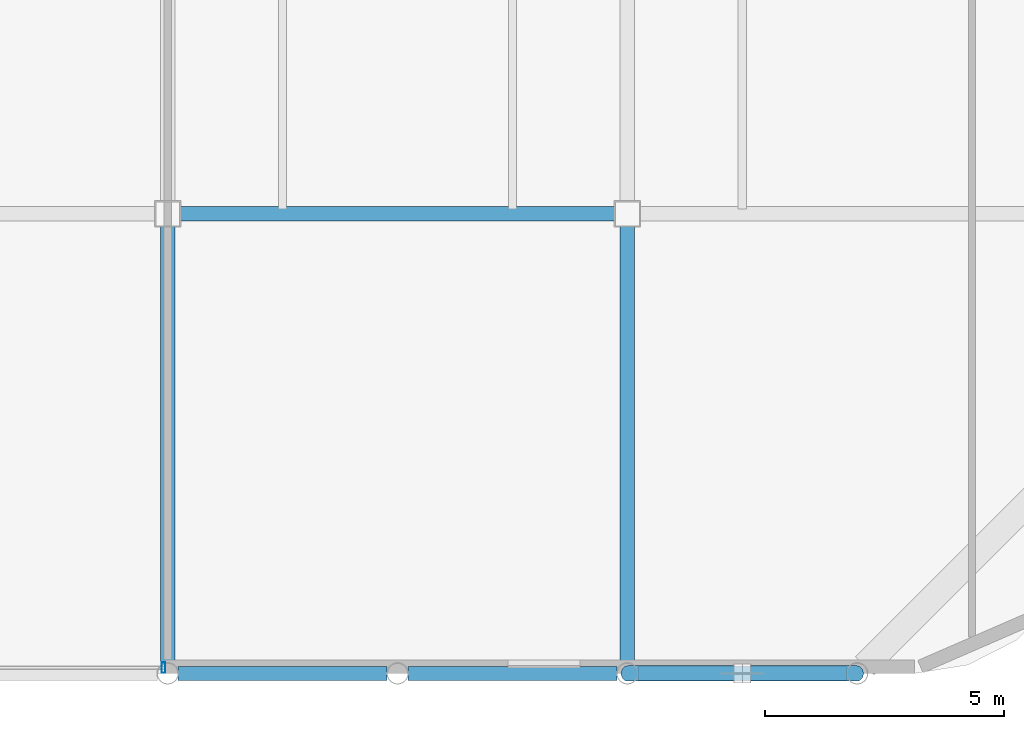
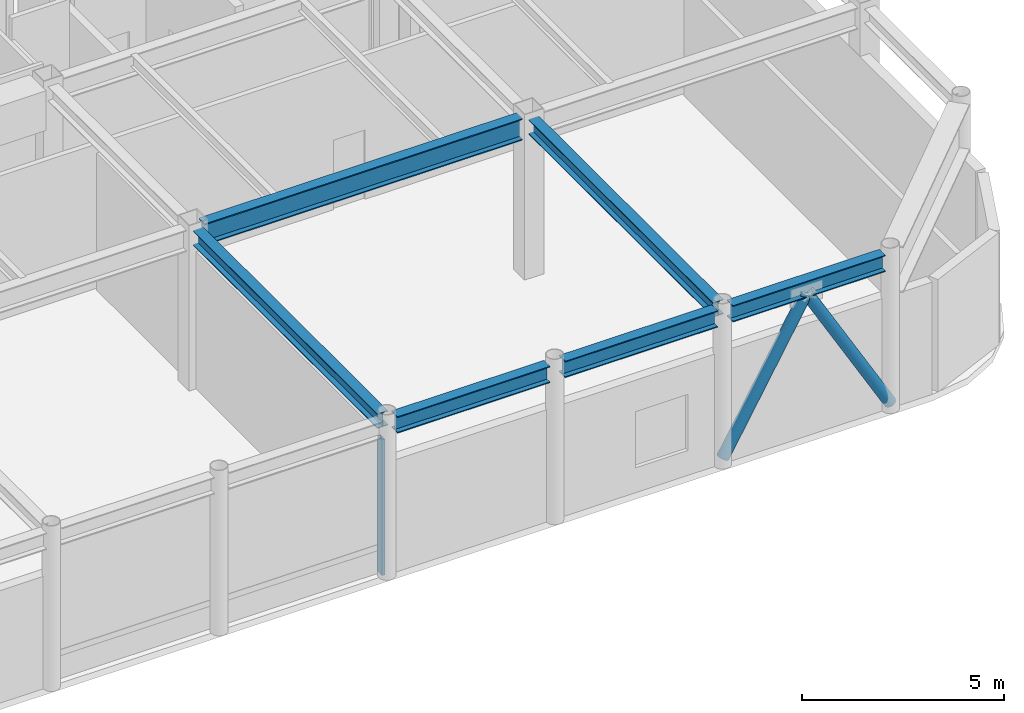
# One storey, part 9 of 21: 6 beams, 3 members, 1 element without a shape of its own.
"""IFC4 building model written with IfcOpenShell, lengths in metres."""

from ifc_helpers import new_model, si_unit, direction, frame, origin, origin_2d, place, context, subcontext, project, spatial, hollow_rectangle, hollow_circle, i_section, extrude, material, layer, layer_set, material_profile, profile_set, type_object, element, aggregate, save


model = new_model("IFC4")

# Units and contexts
model_context = context("Model", 3, precision=1e-05, world=origin(), true_north=direction((0.0, 1.0)))
body_context = subcontext(model_context, "Body", "Model", "MODEL_VIEW")
ifc_project = project(units=[si_unit("LENGTHUNIT", "METRE"), si_unit("AREAUNIT", "SQUARE_METRE"), si_unit("VOLUMEUNIT", "CUBIC_METRE"), si_unit("PLANEANGLEUNIT", "RADIAN"), si_unit("MASSUNIT", "GRAM", prefix="KILO")], contexts=[model_context])

# Site, building, storey
site_placement = place(None, origin())
site = spatial("IfcSite", under=ifc_project, at=site_placement, CompositionType="ELEMENT")
building_placement = place(site_placement, origin())
building = spatial("IfcBuilding", under=site, at=building_placement, Name="Kallvorn Hotel Tower", CompositionType="ELEMENT")
storey_placement = place(building_placement, frame((0.0, 0.0, 295.60009765625)))
storey = spatial("IfcBuildingStorey", under=building, at=storey_placement, Name="L73", CompositionType="ELEMENT", Elevation=295.60009765625)

# Beams
ifc_material_1 = material(Name="Structural steel S355JR", Category="steel")
ifc_material_profile_1 = material_profile(ifc_material_1, i_section(OverallWidth=0.300048828125, OverallDepth=0.43994140625, WebThickness=0.011474609375, FlangeThickness=0.02099609375, at=origin_2d()), Name="HE 450 A")
ifc_profile_set_1 = profile_set([ifc_material_profile_1], Name="Structural steel S355JR")
beam_type_1 = type_object("IfcBeamType", Name="BM_HE450A", PredefinedType="BEAM", material=ifc_profile_set_1)
for number, where, z_axis, x_axis, name in (
    (1, (4.800048828125, -23.79638671875, 4.579833984375), (0.0, 1.0, 0.0), (-1.0, 0.0, 0.0), "L74 Primary Y-Girder 40"),
    (2, (14.39990234375, -23.79638671875, 4.579833984375), (0.0, 1.0, 0.0), (-1.0, 0.0, 0.0), "L74 Primary Y-Girder 43"),
):
    element("IfcBeam", number, at=place(storey_placement, frame(where, z_axis=z_axis, x_axis=x_axis)), inside=storey, type_object=beam_type_1, Name=name, PredefinedType="BEAM", context=body_context, shape_type="SweptSolid", body=[
        extrude(i_section(OverallWidth=0.300048828125, OverallDepth=0.43994140625, WebThickness=0.011474609375, FlangeThickness=0.02099609375, at=origin_2d()), origin(), (0.0, 0.0, 1.0), 9.146484375),
    ])
ifc_material_2 = material(Name="Structural steel S355JR", Category="steel")
ifc_material_profile_2 = material_profile(ifc_material_2, i_section(OverallWidth=0.300048828125, OverallDepth=0.5, WebThickness=0.014404296875, FlangeThickness=0.028076171875, at=origin_2d()), Name="HE 500 B")
ifc_profile_set_2 = profile_set([ifc_material_profile_2], Name="Structural steel S355JR")
beam_type_2 = type_object("IfcBeamType", Name="BM_HE500B", PredefinedType="SPANDREL", material=ifc_profile_set_2)
beam_1_placement = place(storey_placement, frame((5.0185546875, -24.0, 4.5498046875), z_axis=(1.0, 0.0, 0.0), x_axis=(0.0, 1.0, 0.0)))
element("IfcBeam", 3, at=beam_1_placement, inside=storey, type_object=beam_type_2, Name="L74 Perimeter Spandrel 60", PredefinedType="SPANDREL", context=body_context, shape_type="SweptSolid", body=[
    extrude(i_section(OverallWidth=0.300048828125, OverallDepth=0.5, WebThickness=0.014404296875, FlangeThickness=0.028076171875, at=origin_2d()), origin(), (0.0, 0.0, 1.0), 4.363037109375),
])
beam_2_placement = place(storey_placement, frame((9.818603515625, -24.0, 4.5498046875), z_axis=(1.0, 0.0, 0.0), x_axis=(0.0, 1.0, 0.0)))
element("IfcBeam", 4, at=beam_2_placement, inside=storey, type_object=beam_type_2, Name="L74 Perimeter Spandrel 61", PredefinedType="SPANDREL", context=body_context, shape_type="SweptSolid", body=[
    extrude(i_section(OverallWidth=0.300048828125, OverallDepth=0.5, WebThickness=0.014404296875, FlangeThickness=0.028076171875, at=origin_2d()), origin(), (0.0, 0.0, 1.0), 4.36279296875),
])
beam_3_placement = place(storey_placement, frame((14.618408203125, -24.0, 4.5498046875), z_axis=(1.0, 0.0, 0.0), x_axis=(0.0, 1.0, 0.0)))
element("IfcBeam", 5, at=beam_3_placement, inside=storey, type_object=beam_type_2, Name="L74 Perimeter Spandrel 62", PredefinedType="SPANDREL", context=body_context, shape_type="SweptSolid", body=[
    extrude(i_section(OverallWidth=0.300048828125, OverallDepth=0.5, WebThickness=0.014404296875, FlangeThickness=0.028076171875, at=origin_2d()), origin(), (0.0, 0.0, 1.0), 4.363037109375),
])
ifc_material_3 = material(Name="Structural steel S355JR", Category="steel")
ifc_material_profile_3 = material_profile(ifc_material_3, i_section(OverallWidth=0.300048828125, OverallDepth=0.64990234375, WebThickness=0.01611328125, FlangeThickness=0.031005859375, at=origin_2d()), Name="HE 650 B")
ifc_profile_set_3 = profile_set([ifc_material_profile_3], Name="Structural steel S355JR")
beam_type_3 = type_object("IfcBeamType", Name="BM_HE650B", PredefinedType="BEAM", material=ifc_profile_set_3)
beam_4_placement = place(storey_placement, frame((5.050048828125, -14.39990234375, 4.474853515625), z_axis=(1.0, 0.0, 0.0), x_axis=(0.0, 1.0, 0.0)))
element("IfcBeam", 6, at=beam_4_placement, inside=storey, type_object=beam_type_3, Name="L74 Primary X-Girder 05", PredefinedType="BEAM", context=body_context, shape_type="SweptSolid", body=[
    extrude(i_section(OverallWidth=0.300048828125, OverallDepth=0.64990234375, WebThickness=0.01611328125, FlangeThickness=0.031005859375, at=origin_2d()), origin(), (0.0, 0.0, 1.0), 9.099853515625),
])

# Curtain wall, member
ifc_material_4 = material(Name="Thermally broken black-anodised aluminium AA 6063-T6", Category="aluminium")
ifc_layer = layer(ifc_material_4, 0.25)
ifc_layer_set = layer_set([ifc_layer], Name="CW_SYS_6_SUMMIT_OBS")
curtain_wall_type = type_object("IfcCurtainWallType", Name="CW_SYS_6_SUMMIT_OBS", PredefinedType="USERDEFINED", material=ifc_layer_set)
curtain_wall_placement = place(storey_placement, origin())
curtain_wall = element("IfcCurtainWall", 7, at=curtain_wall_placement, inside=storey, type_object=curtain_wall_type, Name="L73 Dark-Glass Curtain Wall CW-L73-SC", ObjectType="UNITISED CURTAIN WALL", PredefinedType="USERDEFINED")
ifc_material_5 = material(Name="Thermally broken black-anodised aluminium AA 6063-T6", Category="aluminium")
ifc_material_profile_4 = material_profile(ifc_material_5, hollow_rectangle(XDim=0.080078125, YDim=0.219970703125, WallThickness=0.0048828125, at=origin_2d()), Name="MUL 220x80")
ifc_profile_set_4 = profile_set([ifc_material_profile_4], Name="Thermally broken black-anodised aluminium AA 6063-T6")
member_type_1 = type_object("IfcMemberType", Name="CW_MULLION_220x80", PredefinedType="MULLION", material=ifc_profile_set_4)
member_1_placement = place(storey_placement, frame((4.7099609375, -23.8798828125, 0.02001953125), z_axis=(0.0, 0.0, 1.0), x_axis=(1.0, 0.0, 0.0)))
member_1 = element("IfcMember", 8, at=member_1_placement, type_object=member_type_1, Name="CW-L73-SC Mullion 02", PredefinedType="MULLION", context=body_context, shape_type="SweptSolid", body=[
    extrude(hollow_rectangle(XDim=0.080078125, YDim=0.219970703125, WallThickness=0.0048828125, at=origin_2d()), origin(), (0.0, 0.0, 1.0), 4.10986328125),
])
aggregate(curtain_wall, [member_1])

# Members
ifc_material_6 = material(Name="Structural steel S355J2H", Category="steel")
ifc_material_profile_5 = material_profile(ifc_material_6, hollow_circle(Radius=0.161865234375, WallThickness=0.012451171875, at=origin_2d()), Name="CHS 323.9x12.5")
ifc_profile_set_5 = profile_set([ifc_material_profile_5], Name="Structural steel S355J2H")
member_type_2 = type_object("IfcMemberType", Name="MBR_EXO_CHS323", PredefinedType="BRACE", material=ifc_profile_set_5)
member_2_placement = place(storey_placement, frame((14.409912109375, -24.0, 0.197265625), z_axis=(0.499750558989, 0.0, 0.866169370729), x_axis=(0.0, 1.0, 0.0)))
element("IfcMember", 9, at=member_2_placement, inside=storey, type_object=member_type_2, Name="L73 Exoskeleton K-Brace S2A", PredefinedType="BRACE", context=body_context, shape_type="SweptSolid", body=[
    extrude(hollow_circle(Radius=0.161865234375, WallThickness=0.012451171875, at=origin_2d()), origin(), (0.0, 0.0, 1.0), 4.7626953125),
])
member_3_placement = place(storey_placement, frame((19.18994140625, -24.0, 0.197265625), z_axis=(-0.499712098434, 0.0, 0.866191560037), x_axis=(0.0, -1.0, 0.0)))
element("IfcMember", 10, at=member_3_placement, inside=storey, type_object=member_type_2, Name="L73 Exoskeleton K-Brace S2B", PredefinedType="BRACE", context=body_context, shape_type="SweptSolid", body=[
    extrude(hollow_circle(Radius=0.161865234375, WallThickness=0.012451171875, at=origin_2d()), origin(), (0.0, 0.0, 1.0), 4.762451171875),
])

save(model, "model.ifc")
